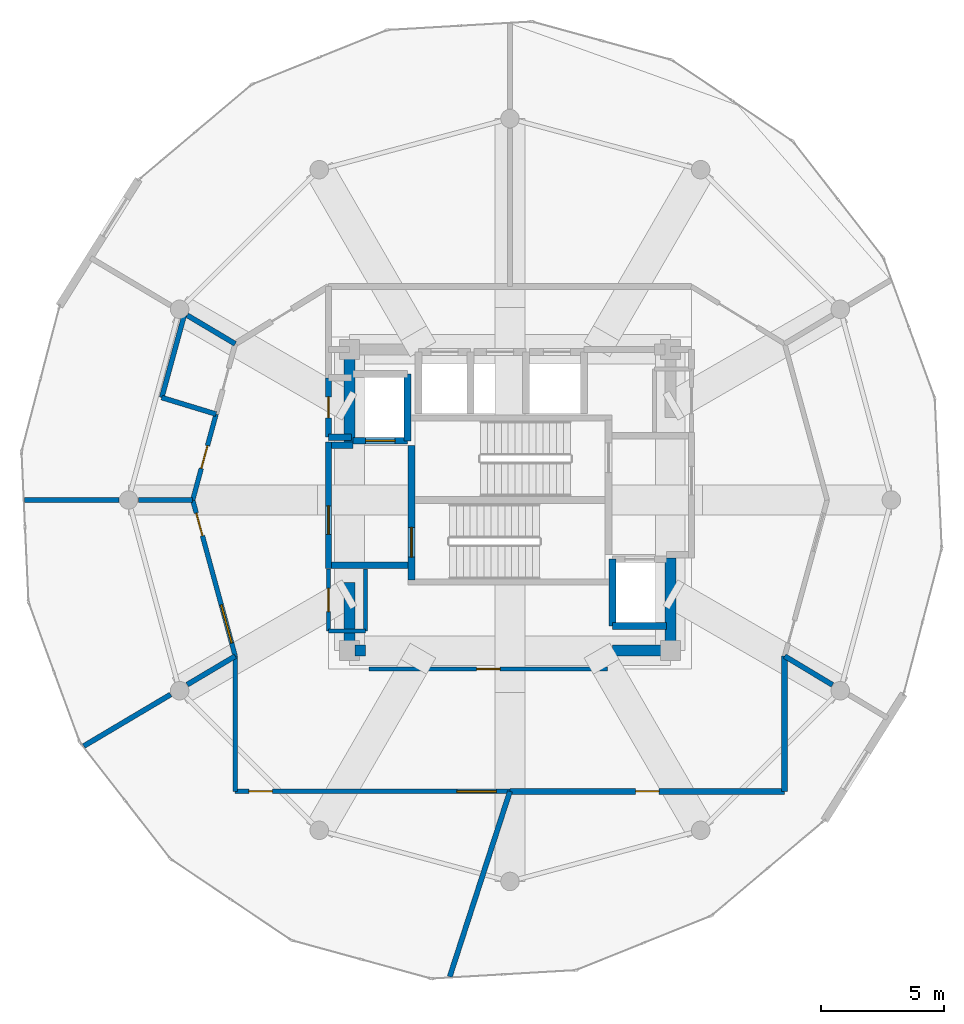
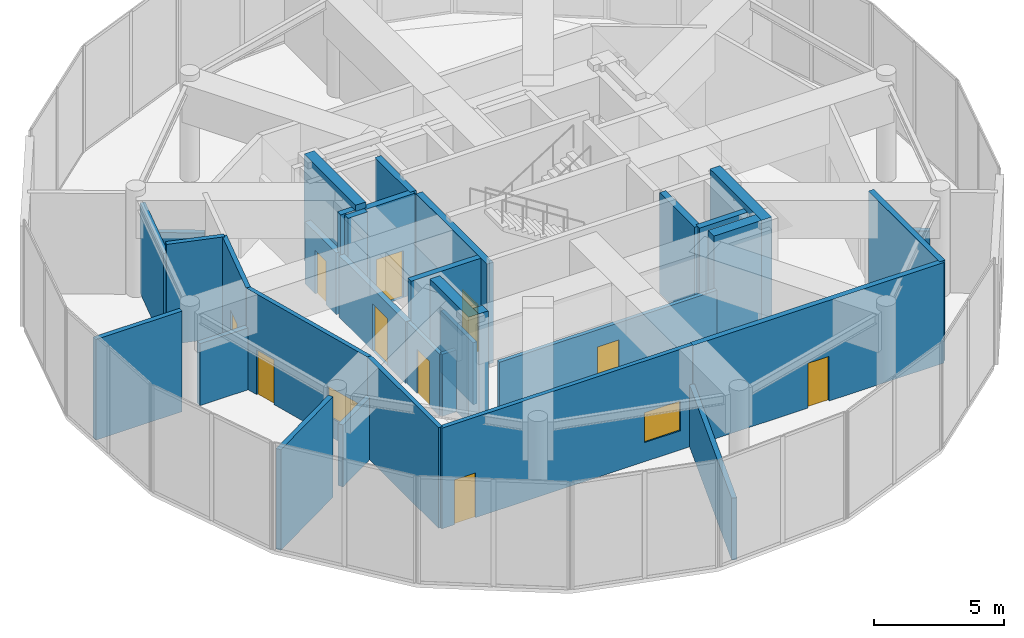
# One storey, part 17 of 20: 34 walls, 10 doors, 2 windows, 12 openings.
"""IFC4 building model written with IfcOpenShell, lengths in metres."""

from ifc_helpers import new_model, si_unit, direction, frame, frame_2d, origin, place, context, subcontext, project, spatial, rectangle, extrude, material, layer, layer_set, type_object, element, fill, save


model = new_model("IFC4")

# Units and contexts
model_context = context("Model", 3, precision=1e-05, world=origin(), true_north=direction((0.0, 1.0)))
body_context = subcontext(model_context, "Body", "Model", "MODEL_VIEW")
ifc_project = project(units=[si_unit("LENGTHUNIT", "METRE"), si_unit("AREAUNIT", "SQUARE_METRE"), si_unit("VOLUMEUNIT", "CUBIC_METRE"), si_unit("PLANEANGLEUNIT", "RADIAN"), si_unit("MASSUNIT", "GRAM", prefix="KILO")], contexts=[model_context])

# Site, building, storey
site_placement = place(None, origin())
site = spatial("IfcSite", under=ifc_project, at=site_placement, CompositionType="ELEMENT")
building_placement = place(site_placement, origin())
building = spatial("IfcBuilding", under=site, at=building_placement, Name="Solvirekh Grand Hotel", CompositionType="ELEMENT")
storey_placement = place(building_placement, frame((0.0, 0.0, 297.199951171875)))
storey = spatial("IfcBuildingStorey", under=building, at=storey_placement, Name="L77", CompositionType="ELEMENT", Elevation=297.199951171875)

# Wall, opening, door
ifc_material_1 = material(Name="Concrete C40/50", Category="concrete")
ifc_layer_1 = layer(ifc_material_1, 0.280029296875)
ifc_layer_set_1 = layer_set([ifc_layer_1], Name="Concrete C40/50")
wall_type_1 = type_object("IfcWallType", Name="CoreShaftWall_RC280", PredefinedType="SOLIDWALL", material=ifc_layer_set_1)
wall_1_placement = place(storey_placement, frame((-6.35009765625, 2.39990234375, 0.0), z_axis=(0.0, 0.0, 1.0), x_axis=(1.0, 0.0, 0.0)))
wall_1 = element("IfcWall", 1, at=wall_1_placement, inside=storey, type_object=wall_type_1, Name="L77 FL-1 hoistway S wall", PredefinedType="SOLIDWALL", context=body_context, shape_type="SweptSolid", body=[
    extrude(rectangle(XDim=2.2001953125, YDim=0.280029296875, at=frame_2d((1.10009765625, 0.0))), origin(), (0.0, 0.0, 1.0), 4.719970703125),
])
opening_1_placement = place(wall_1_placement, frame((0.5, 0.0, 0.0)))
opening_1 = element("IfcOpeningElement", 2, at=opening_1_placement, cuts=wall_1, Name="Opening LD02", PredefinedType="OPENING", context=body_context, shape_type="SweptSolid", body=[
    extrude(rectangle(XDim=1.199951171875, YDim=2.199951171875, at=frame_2d((0.60009765625, 1.10009765625))), frame((0.0, 0.14990234375, 0.0), z_axis=(0.0, -1.0, 0.0), x_axis=(1.0, 0.0, 0.0)), (0.0, 0.0, 1.0), 0.300048828125),
])
ifc_material_2 = material(Name="Fire-Rated Steel Door Assembly", Category="steel")
door_type_1 = type_object("IfcDoorType", Name="Door_LiftFF_1200X2200", OperationType="SLIDING_TO_LEFT", PredefinedType="DOOR", material=ifc_material_2)
door_1_placement = place(opening_1_placement, origin())
door_1 = element("IfcDoor", 3, at=door_1_placement, inside=storey, type_object=door_type_1, Name="L77 FL-1 sliding lift landing door", OperationType="SLIDING_TO_LEFT", OverallHeight=2.199951171875, OverallWidth=1.199951171875, PredefinedType="DOOR", context=body_context, shape_type="SweptSolid", body=[
    extrude(rectangle(XDim=1.199951171875, YDim=2.199951171875, at=frame_2d((0.60009765625, 1.10009765625))), frame((0.0, 0.02490234375, 0.0), z_axis=(0.0, -1.0, 0.0), x_axis=(1.0, 0.0, 0.0)), (0.0, 0.0, 1.0), 0.050048828125),
])
fill(opening_1, door_1)

# Walls
wall_2_placement = place(storey_placement, frame((-4.14990234375, 2.39990234375, 0.0), z_axis=(0.0, 0.0, 1.0), x_axis=(0.0, 1.0, 0.0)))
element("IfcWall", 4, at=wall_2_placement, inside=storey, type_object=wall_type_1, Name="L77 FL-1 hoistway E wall", PredefinedType="SOLIDWALL", context=body_context, shape_type="SweptSolid", body=[
    extrude(rectangle(XDim=2.7001953125, YDim=0.280029296875, at=frame_2d((1.35009765625, 0.0))), origin(), (0.0, 0.0, 1.0), 4.719970703125),
])
wall_3_placement = place(storey_placement, frame((4.14990234375, -5.10009765625, 0.0), z_axis=(0.0, 0.0, 1.0), x_axis=(1.0, 0.0, 0.0)))
element("IfcWall", 5, at=wall_3_placement, inside=storey, type_object=wall_type_1, Name="L77 FL-2 hoistway S wall", PredefinedType="SOLIDWALL", context=body_context, shape_type="SweptSolid", body=[
    extrude(rectangle(XDim=2.2001953125, YDim=0.280029296875, at=frame_2d((1.10009765625, 0.0))), origin(), (0.0, 0.0, 1.0), 4.719970703125),
])
wall_4_placement = place(storey_placement, frame((4.14990234375, -2.39990234375, 0.0), z_axis=(0.0, 0.0, 1.0), x_axis=(0.0, -1.0, 0.0)))
element("IfcWall", 6, at=wall_4_placement, inside=storey, type_object=wall_type_1, Name="L77 FL-2 hoistway W wall", PredefinedType="SOLIDWALL", context=body_context, shape_type="SweptSolid", body=[
    extrude(rectangle(XDim=2.7001953125, YDim=0.280029296875, at=frame_2d((1.35009765625, 0.0))), origin(), (0.0, 0.0, 1.0), 4.719970703125),
])

# Wall, opening, door
wall_5_placement = place(storey_placement, frame((-3.989990234375, -3.25, 0.0), z_axis=(0.0, 0.0, 1.0), x_axis=(0.0, 1.0, 0.0)))
wall_5 = element("IfcWall", 7, at=wall_5_placement, inside=storey, type_object=wall_type_1, Name="L77 west stair landing enclosure wall", PredefinedType="SOLIDWALL", context=body_context, shape_type="SweptSolid", body=[
    extrude(rectangle(XDim=5.4599609375, YDim=0.280029296875, at=frame_2d((2.72998046875, 0.0))), origin(), (0.0, 0.0, 1.0), 4.719970703125),
])
opening_2_placement = place(wall_5_placement, frame((0.93701171875, 0.0, 0.0)))
opening_2 = element("IfcOpeningElement", 8, at=opening_2_placement, cuts=wall_5, Name="Opening D05", PredefinedType="OPENING", context=body_context, shape_type="SweptSolid", body=[
    extrude(rectangle(XDim=1.199951171875, YDim=2.199951171875, at=frame_2d((0.60009765625, 1.10009765625))), frame((0.0, 0.14990234375, 0.0), z_axis=(0.0, -1.0, 0.0), x_axis=(1.0, 0.0, 0.0)), (0.0, 0.0, 1.0), 0.300048828125),
])
door_type_2 = type_object("IfcDoorType", Name="Door_StairCore_1200X2200", OperationType="NOTDEFINED", PredefinedType="DOOR", material=ifc_material_2)
door_2_placement = place(opening_2_placement, origin())
door_2 = element("IfcDoor", 9, at=door_2_placement, inside=storey, type_object=door_type_2, Name="L77 exit stair ST-1 fire door", OperationType="SINGLE_SWING_RIGHT", OverallHeight=2.199951171875, OverallWidth=1.199951171875, PredefinedType="DOOR", context=body_context, shape_type="SweptSolid", body=[
    extrude(rectangle(XDim=1.199951171875, YDim=2.199951171875, at=frame_2d((0.60009765625, 1.10009765625))), frame((0.0, 0.02490234375, 0.0), z_axis=(0.0, -1.0, 0.0), x_axis=(1.0, 0.0, 0.0)), (0.0, 0.0, 1.0), 0.050048828125),
])
fill(opening_2, door_2)

# Walls
ifc_material_3 = material(Name="Concrete C50/60", Category="concrete")
ifc_layer_2 = layer(ifc_material_3, 0.449951171875)
ifc_layer_set_2 = layer_set([ifc_layer_2], Name="Concrete C50/60")
wall_type_2 = type_object("IfcWallType", Name="CoreWall_RC450", PredefinedType="SHEAR", material=ifc_layer_set_2)
wall_6_placement = place(storey_placement, frame((-6.27490234375, -6.10009765625, 0.0), z_axis=(0.0, 0.0, 1.0), x_axis=(1.0, 0.0, 0.0)))
element("IfcWall", 10, at=wall_6_placement, inside=storey, type_object=wall_type_2, Name="L77 core corner shear wall SW-S", PredefinedType="SHEAR", context=body_context, shape_type="SweptSolid", body=[
    extrude(rectangle(XDim=0.4248046875, YDim=0.449951171875, at=frame_2d((0.21240234375, 0.0))), origin(), (0.0, 0.0, 1.0), 5.0),
])
wall_7_placement = place(storey_placement, frame((4.14990234375, -6.10009765625, 0.0), z_axis=(0.0, 0.0, 1.0), x_axis=(1.0, 0.0, 0.0)))
element("IfcWall", 11, at=wall_7_placement, inside=storey, type_object=wall_type_2, Name="L77 core corner shear wall SE-S", PredefinedType="SHEAR", context=body_context, shape_type="SweptSolid", body=[
    extrude(rectangle(XDim=2.125, YDim=0.449951171875, at=frame_2d((1.0625, 0.0))), origin(), (0.0, 0.0, 1.0), 5.0),
])
wall_8_placement = place(storey_placement, frame((-6.5, 2.35009765625, 0.0), z_axis=(0.0, 0.0, 1.0), x_axis=(0.0, 1.0, 0.0)))
element("IfcWall", 12, at=wall_8_placement, inside=storey, type_object=wall_type_2, Name="L77 core corner shear wall WN-W", PredefinedType="SHEAR", context=body_context, shape_type="SweptSolid", body=[
    extrude(rectangle(XDim=3.974853515625, YDim=0.449951171875, at=frame_2d((1.9873046875, 0.0))), origin(), (0.0, 0.0, 1.0), 5.0),
])
wall_9_placement = place(storey_placement, frame((-6.5, -6.324951171875, 0.0), z_axis=(0.0, 0.0, 1.0), x_axis=(0.0, 1.0, 0.0)))
element("IfcWall", 13, at=wall_9_placement, inside=storey, type_object=wall_type_2, Name="L77 core corner shear wall WS-W", PredefinedType="SHEAR", context=body_context, shape_type="SweptSolid", body=[
    extrude(rectangle(XDim=2.974853515625, YDim=0.449951171875, at=frame_2d((1.4873046875, 0.0))), origin(), (0.0, 0.0, 1.0), 5.0),
])
wall_10_placement = place(storey_placement, frame((6.5, -6.324951171875, 0.0), z_axis=(0.0, 0.0, 1.0), x_axis=(0.0, 1.0, 0.0)))
element("IfcWall", 14, at=wall_10_placement, inside=storey, type_object=wall_type_2, Name="L77 core corner shear wall ES-E", PredefinedType="SHEAR", context=body_context, shape_type="SweptSolid", body=[
    extrude(rectangle(XDim=3.974853515625, YDim=0.449951171875, at=frame_2d((1.9873046875, 0.0))), origin(), (0.0, 0.0, 1.0), 5.0),
])
ifc_material_4 = material(Name="Acoustic Gypsum Partition Assembly")
ifc_layer_3 = layer(ifc_material_4, 0.1650390625)
ifc_layer_set_3 = layer_set([ifc_layer_3], Name="Acoustic Gypsum Partition Assembly")
wall_type_3 = type_object("IfcWallType", Name="Part_BOH_165", PredefinedType="PARTITIONING", material=ifc_layer_set_3)
wall_11_placement = place(storey_placement, frame((-7.35009765625, -5.300048828125, 0.0), z_axis=(0.0, 0.0, 1.0), x_axis=(1.0, 0.0, 0.0)))
element("IfcWall", 15, at=wall_11_placement, inside=storey, type_object=wall_type_3, Name="L77 L77 Core Linen Store wall 1", PredefinedType="PARTITIONING", context=body_context, shape_type="SweptSolid", body=[
    extrude(rectangle(XDim=1.5, YDim=0.1650390625, at=frame_2d((0.75, 0.0))), origin(), (0.0, 0.0, 1.0), 2.905029296875),
])
wall_12_placement = place(storey_placement, frame((-5.85009765625, -5.300048828125, 0.0), z_axis=(0.0, 0.0, 1.0), x_axis=(0.0, 1.0, 0.0)))
element("IfcWall", 16, at=wall_12_placement, inside=storey, type_object=wall_type_3, Name="L77 L77 Core Linen Store wall 2", PredefinedType="PARTITIONING", context=body_context, shape_type="SweptSolid", body=[
    extrude(rectangle(XDim=2.5, YDim=0.1650390625, at=frame_2d((1.25, 0.0))), origin(), (0.0, 0.0, 1.0), 2.905029296875),
])

# Wall, opening, door
wall_13_placement = place(storey_placement, frame((-7.35009765625, -2.800048828125, 0.0), z_axis=(0.0, 0.0, 1.0), x_axis=(0.0, -1.0, 0.0)))
wall_13 = element("IfcWall", 17, at=wall_13_placement, inside=storey, type_object=wall_type_3, Name="L77 L77 Core Linen Store wall 4", PredefinedType="PARTITIONING", context=body_context, shape_type="SweptSolid", body=[
    extrude(rectangle(XDim=2.5, YDim=0.1650390625, at=frame_2d((1.25, 0.0))), origin(), (0.0, 0.0, 1.0), 2.905029296875),
])
opening_3_placement = place(wall_13_placement, frame((0.77490234375, 0.0, 0.0)))
opening_3 = element("IfcOpeningElement", 18, at=opening_3_placement, cuts=wall_13, Name="Opening D10", PredefinedType="OPENING", context=body_context, shape_type="SweptSolid", body=[
    extrude(rectangle(XDim=0.949951171875, YDim=2.10009765625, at=frame_2d((0.47509765625, 1.050048828125))), frame((0.0, 0.092529296875, 0.0), z_axis=(0.0, -1.0, 0.0), x_axis=(1.0, 0.0, 0.0)), (0.0, 0.0, 1.0), 0.18505859375),
])
ifc_material_5 = material(Name="Anodized Bronze Aluminium 6063-T6", Category="aluminium")
door_type_3 = type_object("IfcDoorType", Name="Door_RoomInt_950X2100", OperationType="NOTDEFINED", PredefinedType="DOOR", material=ifc_material_5)
door_3_placement = place(opening_3_placement, origin())
door_3 = element("IfcDoor", 19, at=door_3_placement, inside=storey, type_object=door_type_3, Name="L77 L77 Core Linen Store door", OperationType="SINGLE_SWING_LEFT", OverallHeight=2.10009765625, OverallWidth=0.949951171875, PredefinedType="DOOR", context=body_context, shape_type="SweptSolid", body=[
    extrude(rectangle(XDim=0.949951171875, YDim=2.10009765625, at=frame_2d((0.47509765625, 1.050048828125))), frame((0.0, 0.02490234375, 0.0), z_axis=(0.0, -1.0, 0.0), x_axis=(1.0, 0.0, 0.0)), (0.0, 0.0, 1.0), 0.050048828125),
])
fill(opening_3, door_3)

wall_14_placement = place(storey_placement, frame((-5.699951171875, -6.85009765625, 0.0), z_axis=(0.0, 0.0, 1.0), x_axis=(1.0, 0.0, 0.0)))
wall_14 = element("IfcWall", 20, at=wall_14_placement, inside=storey, type_object=wall_type_3, Name="L77 Housekeeping & Linen Store wall 1", PredefinedType="PARTITIONING", context=body_context, shape_type="SweptSolid", body=[
    extrude(rectangle(XDim=9.64990234375, YDim=0.1650390625, at=frame_2d((4.824951171875, 0.0))), origin(), (0.0, 0.0, 1.0), 2.905029296875),
])
opening_4_placement = place(wall_14_placement, frame((4.35009765625, 0.0, 0.0)))
opening_4 = element("IfcOpeningElement", 21, at=opening_4_placement, cuts=wall_14, Name="Opening D10", PredefinedType="OPENING", context=body_context, shape_type="SweptSolid", body=[
    extrude(rectangle(XDim=0.949951171875, YDim=2.10009765625, at=frame_2d((0.47509765625, 1.050048828125))), frame((0.0, 0.092529296875, 0.0), z_axis=(0.0, -1.0, 0.0), x_axis=(1.0, 0.0, 0.0)), (0.0, 0.0, 1.0), 0.18505859375),
])
door_4_placement = place(opening_4_placement, origin())
door_4 = element("IfcDoor", 22, at=door_4_placement, inside=storey, type_object=door_type_3, Name="L77 Housekeeping & Linen Store door", OperationType="SINGLE_SWING_LEFT", OverallHeight=2.10009765625, OverallWidth=0.949951171875, PredefinedType="DOOR", context=body_context, shape_type="SweptSolid", body=[
    extrude(rectangle(XDim=0.949951171875, YDim=2.10009765625, at=frame_2d((0.47509765625, 1.050048828125))), frame((0.0, 0.02490234375, 0.0), z_axis=(0.0, -1.0, 0.0), x_axis=(1.0, 0.0, 0.0)), (0.0, 0.0, 1.0), 0.050048828125),
])
fill(opening_4, door_4)

ifc_layer_4 = layer(ifc_material_4, 0.239990234375)
ifc_layer_set_4 = layer_set([ifc_layer_4], Name="Acoustic Gypsum Partition Assembly")
wall_type_4 = type_object("IfcWallType", Name="Part_Corridor_240", PredefinedType="PARTITIONING", material=ifc_layer_set_4)
wall_15_placement = place(storey_placement, frame((-7.35009765625, -2.780029296875, 0.0), z_axis=(0.0, 0.0, 1.0), x_axis=(0.0, 1.0, 0.0)))
wall_15 = element("IfcWall", 23, at=wall_15_placement, inside=storey, type_object=wall_type_4, Name="L77 west firefighting lobby smoke screen wall", PredefinedType="PARTITIONING", context=body_context, shape_type="SweptSolid", body=[
    extrude(rectangle(XDim=5.1201171875, YDim=0.239990234375, at=frame_2d((2.56005859375, 0.0))), origin(), (0.0, 0.0, 1.0), 2.905029296875),
])
opening_5_placement = place(wall_15_placement, frame((1.388916015625, 0.0, 0.0)))
opening_5 = element("IfcOpeningElement", 24, at=opening_5_placement, cuts=wall_15, Name="Opening D06", PredefinedType="OPENING", context=body_context, shape_type="SweptSolid", body=[
    extrude(rectangle(XDim=1.14990234375, YDim=2.199951171875, at=frame_2d((0.574951171875, 1.10009765625))), frame((0.0, 0.1298828125, 0.0), z_axis=(0.0, -1.0, 0.0), x_axis=(1.0, 0.0, 0.0)), (0.0, 0.0, 1.0), 0.260009765625),
])
door_type_4 = type_object("IfcDoorType", Name="Door_FFLobby_1150X2200", OperationType="NOTDEFINED", PredefinedType="DOOR", material=ifc_material_2)
door_5_placement = place(opening_5_placement, origin())
door_5 = element("IfcDoor", 25, at=door_5_placement, inside=storey, type_object=door_type_4, Name="L77 west firefighting lobby smoke door", OperationType="SINGLE_SWING_RIGHT", OverallHeight=2.199951171875, OverallWidth=1.14990234375, PredefinedType="DOOR", context=body_context, shape_type="SweptSolid", body=[
    extrude(rectangle(XDim=1.14990234375, YDim=2.199951171875, at=frame_2d((0.574951171875, 1.10009765625))), frame((0.0, 0.02490234375, 0.0), z_axis=(0.0, -1.0, 0.0), x_axis=(1.0, 0.0, 0.0)), (0.0, 0.0, 1.0), 0.050048828125),
])
fill(opening_5, door_5)

wall_16_placement = place(storey_placement, frame((0.0, -11.800048828125, 0.0), z_axis=(0.0, 0.0, 1.0), x_axis=(1.0, 0.0, 0.0)))
wall_16 = element("IfcWall", 26, at=wall_16_placement, inside=storey, type_object=wall_type_4, Name="L77 L77 Butler Valet & Linen Steward Room corridor wall", PredefinedType="PARTITIONING", context=body_context, shape_type="SweptSolid", body=[
    extrude(rectangle(XDim=11.1279296875, YDim=0.239990234375, at=frame_2d((5.56396484375, 0.0))), origin(), (0.0, 0.0, 1.0), 4.719970703125),
])
opening_6_placement = place(wall_16_placement, frame((5.089111328125, 0.0, 0.0)))
opening_6 = element("IfcOpeningElement", 27, at=opening_6_placement, cuts=wall_16, Name="Opening D10", PredefinedType="OPENING", context=body_context, shape_type="SweptSolid", body=[
    extrude(rectangle(XDim=0.949951171875, YDim=2.10009765625, at=frame_2d((0.47509765625, 1.050048828125))), frame((0.0, 0.1298828125, 0.0), z_axis=(0.0, -1.0, 0.0), x_axis=(1.0, 0.0, 0.0)), (0.0, 0.0, 1.0), 0.260009765625),
])
door_6_placement = place(opening_6_placement, origin())
door_6 = element("IfcDoor", 28, at=door_6_placement, inside=storey, type_object=door_type_3, Name="L77 L77 Butler Valet & Linen Steward Room entrance door", OperationType="SINGLE_SWING_LEFT", OverallHeight=2.10009765625, OverallWidth=0.949951171875, PredefinedType="DOOR", context=body_context, shape_type="SweptSolid", body=[
    extrude(rectangle(XDim=0.949951171875, YDim=2.10009765625, at=frame_2d((0.47509765625, 1.050048828125))), frame((0.0, 0.02490234375, 0.0), z_axis=(0.0, -1.0, 0.0), x_axis=(1.0, 0.0, 0.0)), (0.0, 0.0, 1.0), 0.050048828125),
])
fill(opening_6, door_6)

# Wall
wall_17_placement = place(storey_placement, frame((11.1279296875, -11.800048828125, 0.0), z_axis=(0.0, 0.0, 1.0), x_axis=(0.0, 1.0, 0.0)))
element("IfcWall", 29, at=wall_17_placement, inside=storey, type_object=wall_type_4, Name="L77 L77 Butler Valet & Linen Steward Room corridor wall 2", PredefinedType="PARTITIONING", context=body_context, shape_type="SweptSolid", body=[
    extrude(rectangle(XDim=5.47509765625, YDim=0.239990234375, at=frame_2d((2.737548828125, 0.0))), origin(), (0.0, 0.0, 1.0), 4.719970703125),
])

# Wall, opening, door
ifc_layer_5 = layer(ifc_material_4, 0.18994140625)
ifc_layer_set_5 = layer_set([ifc_layer_5], Name="Acoustic Gypsum Partition Assembly")
wall_type_5 = type_object("IfcWallType", Name="Part_GuestDemise_190", PredefinedType="PARTITIONING", material=ifc_layer_set_5)
wall_18_placement = place(storey_placement, frame((-11.903076171875, 3.47900390625, 0.0), z_axis=(0.0, 0.0, 1.0), x_axis=(-0.262653290471, -0.964890278221, 0.0)))
wall_18 = element("IfcWall", 30, at=wall_18_placement, inside=storey, type_object=wall_type_5, Name="L77 Souvenir & Audio-Guide Salon corridor wall", PredefinedType="PARTITIONING", context=body_context, shape_type="SweptSolid", body=[
    extrude(rectangle(XDim=3.605712890625, YDim=0.18994140625, at=frame_2d((1.802734375, 0.0))), origin(), (0.0, 0.0, 1.0), 4.719970703125),
])
opening_7_placement = place(wall_18_placement, frame((1.327880859375, 0.0, 0.0)))
opening_7 = element("IfcOpeningElement", 31, at=opening_7_placement, cuts=wall_18, Name="Opening D10", PredefinedType="OPENING", context=body_context, shape_type="SweptSolid", body=[
    extrude(rectangle(XDim=0.949951171875, YDim=2.10009765625, at=frame_2d((0.47509765625, 1.050048828125))), frame((0.0, 0.10498046875, 0.0), z_axis=(0.0, -1.0, 0.0), x_axis=(1.0, 0.0, 0.0)), (0.0, 0.0, 1.0), 0.2099609375),
])
door_7_placement = place(opening_7_placement, origin())
door_7 = element("IfcDoor", 32, at=door_7_placement, inside=storey, type_object=door_type_3, Name="L77 Souvenir & Audio-Guide Salon entrance door", OperationType="SINGLE_SWING_LEFT", OverallHeight=2.10009765625, OverallWidth=0.949951171875, PredefinedType="DOOR", context=body_context, shape_type="SweptSolid", body=[
    extrude(rectangle(XDim=0.949951171875, YDim=2.10009765625, at=frame_2d((0.47509765625, 1.050048828125))), frame((0.0, 0.02490234375, 0.0), z_axis=(0.0, -1.0, 0.0), x_axis=(1.0, 0.0, 0.0)), (0.0, 0.0, 1.0), 0.050048828125),
])
fill(opening_7, door_7)

# Wall, openings, door, window
wall_19_placement = place(storey_placement, frame((-12.85009765625, 0.0, 0.0), z_axis=(0.0, 0.0, 1.0), x_axis=(0.262717156474, -0.964872890952, 0.0)))
wall_19 = element("IfcWall", 33, at=wall_19_placement, inside=storey, type_object=wall_type_5, Name="L77 Sky Telescope Viewing Salon corridor wall", PredefinedType="PARTITIONING", context=body_context, shape_type="SweptSolid", body=[
    extrude(rectangle(XDim=6.55517578125, YDim=0.18994140625, at=frame_2d((3.277587890625, 0.0))), origin(), (0.0, 0.0, 1.0), 4.719970703125),
])
opening_8_placement = place(wall_19_placement, frame((0.550048828125, 0.0, 0.0)))
opening_8 = element("IfcOpeningElement", 34, at=opening_8_placement, cuts=wall_19, Name="Opening D10", PredefinedType="OPENING", context=body_context, shape_type="SweptSolid", body=[
    extrude(rectangle(XDim=0.949951171875, YDim=2.10009765625, at=frame_2d((0.47509765625, 1.050048828125))), frame((0.0, 0.10498046875, 0.0), z_axis=(0.0, -1.0, 0.0), x_axis=(1.0, 0.0, 0.0)), (0.0, 0.0, 1.0), 0.2099609375),
])
opening_9_placement = place(wall_19_placement, frame((4.405029296875, 0.0, 0.89990234375)))
opening_9 = element("IfcOpeningElement", 35, at=opening_9_placement, cuts=wall_19, Name="Opening W04", PredefinedType="OPENING", context=body_context, shape_type="SweptSolid", body=[
    extrude(rectangle(XDim=1.60009765625, YDim=1.39990234375, at=frame_2d((0.800048828125, 0.699951171875))), frame((0.0, 0.10498046875, 0.0), z_axis=(0.0, -1.0, 0.0), x_axis=(1.0, 0.0, 0.0)), (0.0, 0.0, 1.0), 0.2099609375),
])
door_8_placement = place(opening_8_placement, origin())
door_8 = element("IfcDoor", 36, at=door_8_placement, inside=storey, type_object=door_type_3, Name="L77 Sky Telescope Viewing Salon entrance door", OperationType="SINGLE_SWING_RIGHT", OverallHeight=2.10009765625, OverallWidth=0.949951171875, PredefinedType="DOOR", context=body_context, shape_type="SweptSolid", body=[
    extrude(rectangle(XDim=0.949951171875, YDim=2.10009765625, at=frame_2d((0.47509765625, 1.050048828125))), frame((0.0, 0.02490234375, 0.0), z_axis=(0.0, -1.0, 0.0), x_axis=(1.0, 0.0, 0.0)), (0.0, 0.0, 1.0), 0.050048828125),
])
fill(opening_8, door_8)
ifc_material_6 = material(Name="Fire-Rated Ceramic Glazing", Category="glass")
window_type = type_object("IfcWindowType", Name="Win_ConfInt_1600X1400", PartitioningType="SINGLE_PANEL", PredefinedType="WINDOW", material=ifc_material_6)
window_1_placement = place(opening_9_placement, origin())
window_1 = element("IfcWindow", 37, at=window_1_placement, inside=storey, type_object=window_type, Name="L77 Sky Telescope Viewing Salon interior glazed screen", OverallHeight=1.39990234375, OverallWidth=1.60009765625, PartitioningType="SINGLE_PANEL", PredefinedType="WINDOW", context=body_context, shape_type="SweptSolid", body=[
    extrude(rectangle(XDim=1.60009765625, YDim=1.39990234375, at=frame_2d((0.800048828125, 0.699951171875))), frame((0.0, 0.030029296875, 0.0), z_axis=(0.0, -1.0, 0.0), x_axis=(1.0, 0.0, 0.0)), (0.0, 0.0, 1.0), 0.06005859375),
])
fill(opening_9, window_1)

wall_20_placement = place(storey_placement, frame((-11.1279296875, -11.800048828125, 0.0), z_axis=(0.0, 0.0, 1.0), x_axis=(1.0, 0.0, 0.0)))
wall_20 = element("IfcWall", 38, at=wall_20_placement, inside=storey, type_object=wall_type_5, Name="L77 L77 Panoramic Belvedere Salon corridor wall", PredefinedType="PARTITIONING", context=body_context, shape_type="SweptSolid", body=[
    extrude(rectangle(XDim=11.1279296875, YDim=0.18994140625, at=frame_2d((5.56396484375, 0.0))), origin(), (0.0, 0.0, 1.0), 4.719970703125),
])
opening_10_placement = place(wall_20_placement, frame((0.550048828125, 0.0, 0.0)))
opening_10 = element("IfcOpeningElement", 39, at=opening_10_placement, cuts=wall_20, Name="Opening D10", PredefinedType="OPENING", context=body_context, shape_type="SweptSolid", body=[
    extrude(rectangle(XDim=0.949951171875, YDim=2.10009765625, at=frame_2d((0.47509765625, 1.050048828125))), frame((0.0, 0.10498046875, 0.0), z_axis=(0.0, -1.0, 0.0), x_axis=(1.0, 0.0, 0.0)), (0.0, 0.0, 1.0), 0.2099609375),
])
opening_11_placement = place(wall_20_placement, frame((8.97802734375, 0.0, 0.89990234375)))
opening_11 = element("IfcOpeningElement", 40, at=opening_11_placement, cuts=wall_20, Name="Opening W04", PredefinedType="OPENING", context=body_context, shape_type="SweptSolid", body=[
    extrude(rectangle(XDim=1.60009765625, YDim=1.39990234375, at=frame_2d((0.800048828125, 0.699951171875))), frame((0.0, 0.10498046875, 0.0), z_axis=(0.0, -1.0, 0.0), x_axis=(1.0, 0.0, 0.0)), (0.0, 0.0, 1.0), 0.2099609375),
])
door_9_placement = place(opening_10_placement, origin())
door_9 = element("IfcDoor", 41, at=door_9_placement, inside=storey, type_object=door_type_3, Name="L77 L77 Panoramic Belvedere Salon entrance door", OperationType="SINGLE_SWING_RIGHT", OverallHeight=2.10009765625, OverallWidth=0.949951171875, PredefinedType="DOOR", context=body_context, shape_type="SweptSolid", body=[
    extrude(rectangle(XDim=0.949951171875, YDim=2.10009765625, at=frame_2d((0.47509765625, 1.050048828125))), frame((0.0, 0.02490234375, 0.0), z_axis=(0.0, -1.0, 0.0), x_axis=(1.0, 0.0, 0.0)), (0.0, 0.0, 1.0), 0.050048828125),
])
fill(opening_10, door_9)
window_2_placement = place(opening_11_placement, origin())
window_2 = element("IfcWindow", 42, at=window_2_placement, inside=storey, type_object=window_type, Name="L77 L77 Panoramic Belvedere Salon interior glazed screen", OverallHeight=1.39990234375, OverallWidth=1.60009765625, PartitioningType="SINGLE_PANEL", PredefinedType="WINDOW", context=body_context, shape_type="SweptSolid", body=[
    extrude(rectangle(XDim=1.60009765625, YDim=1.39990234375, at=frame_2d((0.800048828125, 0.699951171875))), frame((0.0, 0.030029296875, 0.0), z_axis=(0.0, -1.0, 0.0), x_axis=(1.0, 0.0, 0.0)), (0.0, 0.0, 1.0), 0.06005859375),
])
fill(opening_11, window_2)

# Walls
wall_21_placement = place(storey_placement, frame((-11.1279296875, -6.324951171875, 0.0), z_axis=(0.0, 0.0, 1.0), x_axis=(0.0, -1.0, 0.0)))
element("IfcWall", 43, at=wall_21_placement, inside=storey, type_object=wall_type_5, Name="L77 L77 Panoramic Belvedere Salon corridor wall 2", PredefinedType="PARTITIONING", context=body_context, shape_type="SweptSolid", body=[
    extrude(rectangle(XDim=5.47509765625, YDim=0.18994140625, at=frame_2d((2.737548828125, 0.0))), origin(), (0.0, 0.0, 1.0), 4.719970703125),
])
ifc_layer_6 = layer(ifc_material_4, 0.260009765625)
ifc_layer_set_6 = layer_set([ifc_layer_6], Name="Acoustic Gypsum Partition Assembly")
wall_type_6 = type_object("IfcWallType", Name="Part_LobbyFF_260", PredefinedType="PARTITIONING", material=ifc_layer_set_6)
wall_22_placement = place(storey_placement, frame((-7.22509765625, -2.64990234375, 0.0), z_axis=(0.0, 0.0, 1.0), x_axis=(1.0, 0.0, 0.0)))
element("IfcWall", 44, at=wall_22_placement, inside=storey, type_object=wall_type_6, Name="L77 west firefighting lobby south partition", PredefinedType="PARTITIONING", context=body_context, shape_type="SweptSolid", body=[
    extrude(rectangle(XDim=3.09521484375, YDim=0.260009765625, at=frame_2d((1.547607421875, 0.0))), origin(), (0.0, 0.0, 1.0), 4.719970703125),
])
wall_23_placement = place(storey_placement, frame((-7.22509765625, 2.2099609375, 0.0), z_axis=(0.0, 0.0, 1.0), x_axis=(1.0, 0.0, 0.0)))
element("IfcWall", 45, at=wall_23_placement, inside=storey, type_object=wall_type_6, Name="L77 west firefighting lobby NW cheek", PredefinedType="PARTITIONING", context=body_context, shape_type="SweptSolid", body=[
    extrude(rectangle(XDim=0.875, YDim=0.260009765625, at=frame_2d((0.4375, 0.0))), origin(), (0.0, 0.0, 1.0), 4.719970703125),
])
wall_24_placement = place(storey_placement, frame((-7.35009765625, 2.550048828125, 0.0), z_axis=(0.0, 0.0, 1.0), x_axis=(1.0, 0.0, 0.0)))
element("IfcWall", 46, at=wall_24_placement, inside=storey, type_object=wall_type_6, Name="L77 NW telecom metering cupboard south wall", PredefinedType="PARTITIONING", context=body_context, shape_type="SweptSolid", body=[
    extrude(rectangle(XDim=0.93017578125, YDim=0.260009765625, at=frame_2d((0.465087890625, 0.0))), origin(), (0.0, 0.0, 1.0), 4.719970703125),
])

# Wall, opening, door
wall_25_placement = place(storey_placement, frame((-7.35009765625, 2.550048828125, 0.0), z_axis=(0.0, 0.0, 1.0), x_axis=(0.0, 1.0, 0.0)))
wall_25 = element("IfcWall", 47, at=wall_25_placement, inside=storey, type_object=wall_type_6, Name="L77 NW telecom metering cupboard access wall", PredefinedType="PARTITIONING", context=body_context, shape_type="SweptSolid", body=[
    extrude(rectangle(XDim=2.39990234375, YDim=0.260009765625, at=frame_2d((1.199951171875, 0.0))), origin(), (0.0, 0.0, 1.0), 2.905029296875),
])
opening_12_placement = place(wall_25_placement, frame((0.77490234375, 0.0, 0.0)))
opening_12 = element("IfcOpeningElement", 48, at=opening_12_placement, cuts=wall_25, Name="Opening D13", PredefinedType="OPENING", context=body_context, shape_type="SweptSolid", body=[
    extrude(rectangle(XDim=0.85009765625, YDim=2.050048828125, at=frame_2d((0.425048828125, 1.02490234375))), frame((0.0, 0.14013671875, 0.0), z_axis=(0.0, -1.0, 0.0), x_axis=(1.0, 0.0, 0.0)), (0.0, 0.0, 1.0), 0.280029296875),
])
door_type_5 = type_object("IfcDoorType", Name="Door_RiserShaft_850X2050", OperationType="NOTDEFINED", PredefinedType="DOOR", material=ifc_material_2)
door_10_placement = place(opening_12_placement, origin())
door_10 = element("IfcDoor", 49, at=door_10_placement, inside=storey, type_object=door_type_5, Name="L77 telecom metering cupboard access door", OperationType="SINGLE_SWING_RIGHT", OverallHeight=2.050048828125, OverallWidth=0.85009765625, PredefinedType="DOOR", context=body_context, shape_type="SweptSolid", body=[
    extrude(rectangle(XDim=0.85009765625, YDim=2.050048828125, at=frame_2d((0.425048828125, 1.02490234375))), frame((0.0, 0.02490234375, 0.0), z_axis=(0.0, -1.0, 0.0), x_axis=(1.0, 0.0, 0.0)), (0.0, 0.0, 1.0), 0.050048828125),
])
fill(opening_12, door_10)

# Walls
ifc_layer_7 = layer(ifc_material_4, 0.2099609375)
ifc_layer_set_7 = layer_set([ifc_layer_7], Name="Acoustic Gypsum Partition Assembly")
wall_type_7 = type_object("IfcWallType", Name="Part_SuiteDemise_210", PredefinedType="PARTITIONING", material=ifc_layer_set_7)
wall_26_placement = place(storey_placement, frame((-11.1279296875, 6.324951171875, 0.0), z_axis=(0.0, 0.0, 1.0), x_axis=(-0.859601277707, 0.510965403296, 0.0)))
element("IfcWall", 50, at=wall_26_placement, inside=storey, type_object=wall_type_7, Name="L77 radial demising wall 6 (A)", PredefinedType="PARTITIONING", context=body_context, shape_type="SweptSolid", body=[
    extrude(rectangle(XDim=2.260498046875, YDim=0.2099609375, at=frame_2d((1.13037109375, 0.0))), origin(), (0.0, 0.0, 1.0), 2.905029296875),
])
wall_27_placement = place(storey_placement, frame((-12.85009765625, 0.0, 0.0), z_axis=(0.0, 0.0, 1.0), x_axis=(-1.0, 0.0, 0.0)))
element("IfcWall", 51, at=wall_27_placement, inside=storey, type_object=wall_type_7, Name="L77 radial demising wall 7 (A)", PredefinedType="PARTITIONING", context=body_context, shape_type="SweptSolid", body=[
    extrude(rectangle(XDim=2.204833984375, YDim=0.2099609375, at=frame_2d((1.1025390625, 0.0))), origin(), (0.0, 0.0, 1.0), 2.905029296875),
])
wall_28_placement = place(storey_placement, frame((-15.844970703125, 0.0, 0.0), z_axis=(0.0, 0.0, 1.0), x_axis=(-1.0, 0.0, 0.0)))
element("IfcWall", 52, at=wall_28_placement, inside=storey, type_object=wall_type_7, Name="L77 radial demising wall 7 (B)", PredefinedType="PARTITIONING", context=body_context, shape_type="SweptSolid", body=[
    extrude(rectangle(XDim=3.821044921875, YDim=0.2099609375, at=frame_2d((1.91064453125, 0.0))), origin(), (0.0, 0.0, 1.0), 4.719970703125),
])
wall_29_placement = place(storey_placement, frame((-11.1279296875, -6.324951171875, 0.0), z_axis=(0.0, 0.0, 1.0), x_axis=(-0.859980712554, -0.510326536675, 0.0)))
element("IfcWall", 53, at=wall_29_placement, inside=storey, type_object=wall_type_7, Name="L77 radial demising wall 8 (A)", PredefinedType="PARTITIONING", context=body_context, shape_type="SweptSolid", body=[
    extrude(rectangle(XDim=2.259521484375, YDim=0.2099609375, at=frame_2d((1.1298828125, 0.0))), origin(), (0.0, 0.0, 1.0), 2.905029296875),
])
wall_30_placement = place(storey_placement, frame((-13.743896484375, -7.8779296875, 0.0), z_axis=(0.0, 0.0, 1.0), x_axis=(-0.859951278994, -0.510376133608, 0.0)))
element("IfcWall", 54, at=wall_30_placement, inside=storey, type_object=wall_type_7, Name="L77 radial demising wall 8 (B)", PredefinedType="PARTITIONING", context=body_context, shape_type="SweptSolid", body=[
    extrude(rectangle(XDim=4.09326171875, YDim=0.2099609375, at=frame_2d((2.046630859375, 0.0))), origin(), (0.0, 0.0, 1.0), 4.719970703125),
])
wall_31_placement = place(storey_placement, frame((11.1279296875, -6.324951171875, 0.0), z_axis=(0.0, 0.0, 1.0), x_axis=(0.857015766595, -0.515290186018, 0.0)))
element("IfcWall", 55, at=wall_31_placement, inside=storey, type_object=wall_type_7, Name="L77 radial demising wall 12 (A)", PredefinedType="PARTITIONING", context=body_context, shape_type="SweptSolid", body=[
    extrude(rectangle(XDim=2.259033203125, YDim=0.2099609375, at=frame_2d((1.12939453125, 0.0))), origin(), (0.0, 0.0, 1.0), 2.905029296875),
])
wall_32_placement = place(storey_placement, frame((0.0, -11.800048828125, 0.0), z_axis=(0.0, 0.0, 1.0), x_axis=(-0.308881219967, -0.95110062136, 0.0)))
element("IfcWall", 56, at=wall_32_placement, inside=storey, type_object=wall_type_7, Name="L77 L77 Panoramic Belvedere Salon dividing partition 1", PredefinedType="PARTITIONING", context=body_context, shape_type="SweptSolid", body=[
    extrude(rectangle(XDim=7.896240234375, YDim=0.2099609375, at=frame_2d((3.9482421875, 0.0))), origin(), (0.0, 0.0, 1.0), 2.905029296875),
])
ifc_layer_8 = layer(ifc_material_4, 0.199951171875)
ifc_layer_set_8 = layer_set([ifc_layer_8], Name="Acoustic Gypsum Partition Assembly")
wall_type_8 = type_object("IfcWallType", Name="Plumb_PublicWC_200", PredefinedType="PLUMBINGWALL", material=ifc_layer_set_8)
wall_33_placement = place(storey_placement, frame((-13.177978515625, 7.54296875, 0.0), z_axis=(0.0, 0.0, 1.0), x_axis=(-0.263217227178, -0.964736591675, 0.0)))
element("IfcWall", 57, at=wall_33_placement, inside=storey, type_object=wall_type_8, Name="L77 Observation Accessible WC outer plumbing wall", PredefinedType="PLUMBINGWALL", context=body_context, shape_type="SweptSolid", body=[
    extrude(rectangle(XDim=3.51806640625, YDim=0.199951171875, at=frame_2d((1.759033203125, 0.0))), origin(), (0.0, 0.0, 1.0), 4.2470703125),
])
wall_34_placement = place(storey_placement, frame((-11.903076171875, 3.47900390625, 0.0), z_axis=(0.0, 0.0, 1.0), x_axis=(-0.956664883705, 0.291191174807, 0.0)))
element("IfcWall", 58, at=wall_34_placement, inside=storey, type_object=wall_type_8, Name="L77 Observation Accessible WC dividing plumbing wall", PredefinedType="PLUMBINGWALL", context=body_context, shape_type="SweptSolid", body=[
    extrude(rectangle(XDim=2.300537109375, YDim=0.199951171875, at=frame_2d((1.150390625, 0.0))), origin(), (0.0, 0.0, 1.0), 4.719970703125),
])

save(model, "model.ifc")
